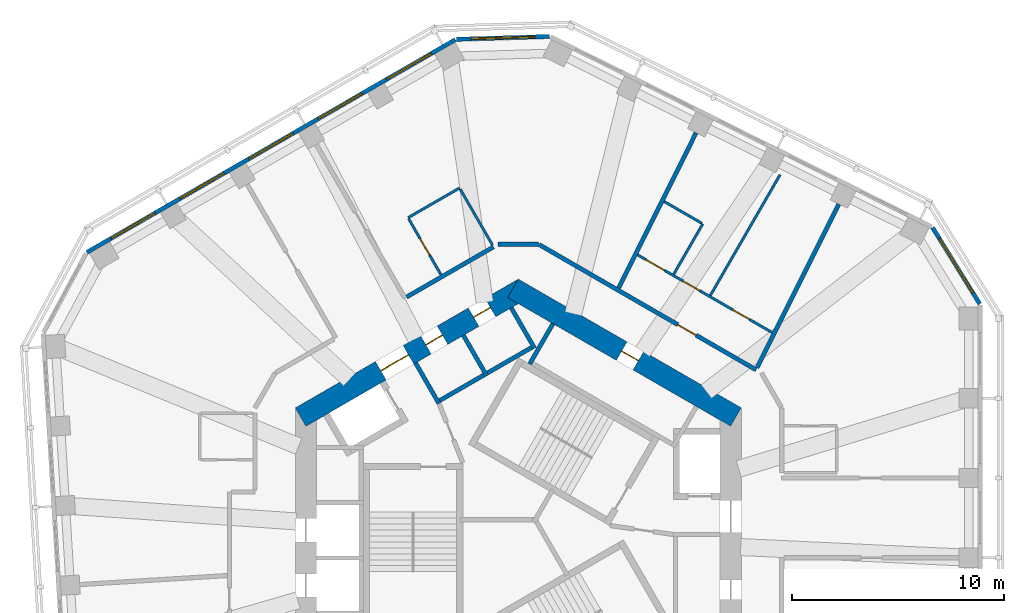
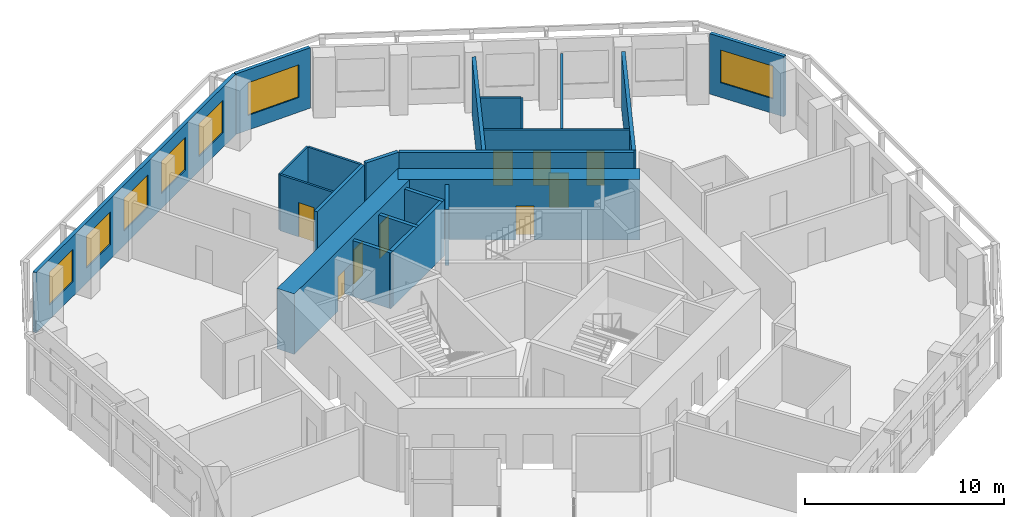
# One storey, part 7 of 11: 22 walls, 9 doors, 7 windows, 16 openings.
"""IFC4 building model written with IfcOpenShell, lengths in metres."""

from ifc_helpers import new_model, si_unit, direction, frame, frame_2d, origin, place, context, subcontext, project, spatial, rectangle, extrude, material, layer, layer_set, type_object, element, fill, save


model = new_model("IFC4")

# Units and contexts
model_context = context("Model", 3, precision=1e-05, world=origin(), true_north=direction((0.0, 1.0)))
body_context = subcontext(model_context, "Body", "Model", "MODEL_VIEW")
ifc_project = project(units=[si_unit("LENGTHUNIT", "METRE"), si_unit("AREAUNIT", "SQUARE_METRE"), si_unit("VOLUMEUNIT", "CUBIC_METRE"), si_unit("PLANEANGLEUNIT", "RADIAN"), si_unit("MASSUNIT", "GRAM", prefix="KILO")], contexts=[model_context])

# Site, building, storey
site_placement = place(None, origin())
site = spatial("IfcSite", under=ifc_project, at=site_placement, CompositionType="ELEMENT")
building_placement = place(site_placement, origin())
building = spatial("IfcBuilding", under=site, at=building_placement, Name="Vanh Sen Convention Tower", CompositionType="ELEMENT")
storey_placement = place(building_placement, frame((0.0, 0.0, 183.60009765625)))
storey = spatial("IfcBuildingStorey", under=building, at=storey_placement, Name="L45", CompositionType="ELEMENT", Elevation=183.60009765625)

# Wall
ifc_material_1 = material(Name="Moisture-resistant gypsum board on steel studs", Category="steel")
ifc_layer_1 = layer(ifc_material_1, 0.1201171875)
ifc_layer_set_1 = layer_set([ifc_layer_1], Name="Moisture-resistant gypsum board on steel studs")
wall_type_1 = type_object("IfcWallType", Name="Bathroom partition 120", PredefinedType="PARTITIONING", material=ifc_layer_set_1)
wall_1_placement = place(storey_placement, frame((-5.19140625, 15.01611328125, 0.0), z_axis=(0.0, 0.0, 1.0), x_axis=(0.866034573852, 0.49998411664, 0.0)))
element("IfcWall", 1, at=wall_1_placement, inside=storey, type_object=wall_type_1, Name="Bathroom partition 120", PredefinedType="PARTITIONING", context=body_context, shape_type="SweptSolid", body=[
    extrude(rectangle(XDim=2.7998046875, YDim=0.1201171875, at=frame_2d((1.39990234375, 0.0))), origin(), (0.0, 0.0, 1.0), 3.419921875),
])

# Wall, opening, door
wall_2_placement = place(storey_placement, frame((-3.641357421875, 12.331298828125, 0.0), z_axis=(0.0, 0.0, 1.0), x_axis=(-0.499991248344, 0.866030456496, 0.0)))
wall_2 = element("IfcWall", 2, at=wall_2_placement, inside=storey, type_object=wall_type_1, Name="Bathroom partition 120", PredefinedType="PARTITIONING", context=body_context, shape_type="SweptSolid", body=[
    extrude(rectangle(XDim=3.0400390625, YDim=0.1201171875, at=frame_2d((1.52001953125, 0.0))), origin(), (0.0, 0.0, 1.0), 3.419921875),
])
opening_1_placement = place(wall_2_placement, frame((1.070068359375, 0.0, 0.0)))
opening_1 = element("IfcOpeningElement", 3, at=opening_1_placement, cuts=wall_2, Name="Opening D44108", PredefinedType="OPENING", context=body_context, shape_type="SweptSolid", body=[
    extrude(rectangle(XDim=0.89990234375, YDim=2.10009765625, at=frame_2d((0.449951171875, 1.050048828125))), frame((0.0, 0.070068359375, 0.0), z_axis=(0.0, -1.0, 0.0), x_axis=(1.0, 0.0, 0.0)), (0.0, 0.0, 1.0), 0.14013671875),
])
ifc_material_2 = material(Name="Laminate door in steel frame", Category="steel")
door_type_1 = type_object("IfcDoorType", Name="Room internal door 900", OperationType="SINGLE_SWING_LEFT", PredefinedType="DOOR", material=ifc_material_2)
door_1_placement = place(opening_1_placement, origin())
door_1 = element("IfcDoor", 4, at=door_1_placement, inside=storey, type_object=door_type_1, Name="Internal room door D44108", OperationType="SINGLE_SWING_LEFT", OverallHeight=2.10009765625, OverallWidth=0.89990234375, PredefinedType="DOOR", context=body_context, shape_type="SweptSolid", body=[
    extrude(rectangle(XDim=0.89990234375, YDim=2.10009765625, at=frame_2d((0.449951171875, 1.050048828125))), frame((0.0, 0.02490234375, 0.0), z_axis=(0.0, -1.0, 0.0), x_axis=(1.0, 0.0, 0.0)), (0.0, 0.0, 1.0), 0.050048828125),
])
fill(opening_1, door_1)

# Walls
wall_3_placement = place(storey_placement, frame((-2.736572265625, 16.364013671875, 0.0), z_axis=(0.0, 0.0, 1.0), x_axis=(0.500026023896, -0.86601037836, 0.0)))
element("IfcWall", 5, at=wall_3_placement, inside=storey, type_object=wall_type_1, Name="Bathroom partition 120", PredefinedType="PARTITIONING", context=body_context, shape_type="SweptSolid", body=[
    extrude(rectangle(XDim=3.039794921875, YDim=0.1201171875, at=frame_2d((1.52001953125, 0.0))), origin(), (0.0, 0.0, 1.0), 3.419921875),
])
wall_4_placement = place(storey_placement, frame((7.318115234375, 12.3564453125, 0.0), z_axis=(0.0, 0.0, 1.0), x_axis=(0.499982138324, 0.866035715982, 0.0)))
element("IfcWall", 6, at=wall_4_placement, inside=storey, type_object=wall_type_1, Name="Bathroom partition 120", PredefinedType="PARTITIONING", context=body_context, shape_type="SweptSolid", body=[
    extrude(rectangle(XDim=2.73974609375, YDim=0.1201171875, at=frame_2d((1.369873046875, 0.0))), origin(), (0.0, 0.0, 1.0), 3.419921875),
])
wall_5_placement = place(storey_placement, frame((8.635986328125, 14.75927734375, 0.0), z_axis=(0.0, 0.0, 1.0), x_axis=(-0.866010195725, 0.500026340207, 0.0)))
element("IfcWall", 7, at=wall_5_placement, inside=storey, type_object=wall_type_1, Name="Bathroom partition 120", PredefinedType="PARTITIONING", context=body_context, shape_type="SweptSolid", body=[
    extrude(rectangle(XDim=2.0400390625, YDim=0.1201171875, at=frame_2d((1.02001953125, 0.0))), origin(), (0.0, 0.0, 1.0), 3.419921875),
])

# Wall, openings, doors
wall_6_placement = place(storey_placement, frame((11.958984375, 9.607666015625, 0.0), z_axis=(0.0, 0.0, 1.0), x_axis=(-0.866018452427, 0.500012039911, 0.0)))
wall_6 = element("IfcWall", 8, at=wall_6_placement, inside=storey, type_object=wall_type_1, Name="Bathroom partition 120", PredefinedType="PARTITIONING", context=body_context, shape_type="SweptSolid", body=[
    extrude(rectangle(XDim=7.322021484375, YDim=0.1201171875, at=frame_2d((3.6611328125, 0.0))), origin(), (0.0, 0.0, 1.0), 3.419921875),
])
opening_2_placement = place(wall_6_placement, frame((5.85791015625, 0.0, 0.0)))
opening_2 = element("IfcOpeningElement", 9, at=opening_2_placement, cuts=wall_6, Name="Opening D44104", PredefinedType="OPENING", context=body_context, shape_type="SweptSolid", body=[
    extrude(rectangle(XDim=1.0, YDim=2.10009765625, at=frame_2d((0.5, 1.050048828125))), frame((0.0, 0.070068359375, 0.0), z_axis=(0.0, -1.0, 0.0), x_axis=(1.0, 0.0, 0.0)), (0.0, 0.0, 1.0), 0.14013671875),
])
opening_3_placement = place(wall_6_placement, frame((1.25, 0.0, 0.0)))
opening_3 = element("IfcOpeningElement", 10, at=opening_3_placement, cuts=wall_6, Name="Opening D44105", PredefinedType="OPENING", context=body_context, shape_type="SweptSolid", body=[
    extrude(rectangle(XDim=0.89990234375, YDim=2.10009765625, at=frame_2d((0.449951171875, 1.050048828125))), frame((0.0, 0.070068359375, 0.0), z_axis=(0.0, -1.0, 0.0), x_axis=(1.0, 0.0, 0.0)), (0.0, 0.0, 1.0), 0.14013671875),
])
opening_4_placement = place(wall_6_placement, frame((3.94677734375, 0.0, 0.0)))
opening_4 = element("IfcOpeningElement", 11, at=opening_4_placement, cuts=wall_6, Name="Opening D44106", PredefinedType="OPENING", context=body_context, shape_type="SweptSolid", body=[
    extrude(rectangle(XDim=0.89990234375, YDim=2.10009765625, at=frame_2d((0.449951171875, 1.050048828125))), frame((0.0, 0.070068359375, 0.0), z_axis=(0.0, -1.0, 0.0), x_axis=(1.0, 0.0, 0.0)), (0.0, 0.0, 1.0), 0.14013671875),
])
door_type_2 = type_object("IfcDoorType", Name="Accessible WC door 1000", OperationType="SINGLE_SWING_LEFT", PredefinedType="DOOR", material=ifc_material_2)
door_2_placement = place(opening_2_placement, origin())
door_2 = element("IfcDoor", 12, at=door_2_placement, inside=storey, type_object=door_type_2, Name="Accessible WC door D44104", OperationType="SINGLE_SWING_LEFT", OverallHeight=2.10009765625, OverallWidth=1.0, PredefinedType="DOOR", context=body_context, shape_type="SweptSolid", body=[
    extrude(rectangle(XDim=1.0, YDim=2.10009765625, at=frame_2d((0.5, 1.050048828125))), frame((0.0, 0.02490234375, 0.0), z_axis=(0.0, -1.0, 0.0), x_axis=(1.0, 0.0, 0.0)), (0.0, 0.0, 1.0), 0.050048828125),
])
fill(opening_2, door_2)
door_3_placement = place(opening_3_placement, origin())
door_3 = element("IfcDoor", 13, at=door_3_placement, inside=storey, type_object=door_type_1, Name="Internal room door D44105", OperationType="SINGLE_SWING_LEFT", OverallHeight=2.10009765625, OverallWidth=0.89990234375, PredefinedType="DOOR", context=body_context, shape_type="SweptSolid", body=[
    extrude(rectangle(XDim=0.89990234375, YDim=2.10009765625, at=frame_2d((0.449951171875, 1.050048828125))), frame((0.0, 0.02490234375, 0.0), z_axis=(0.0, -1.0, 0.0), x_axis=(1.0, 0.0, 0.0)), (0.0, 0.0, 1.0), 0.050048828125),
])
fill(opening_3, door_3)
door_4_placement = place(opening_4_placement, origin())
door_4 = element("IfcDoor", 14, at=door_4_placement, inside=storey, type_object=door_type_1, Name="Internal room door D44106", OperationType="SINGLE_SWING_LEFT", OverallHeight=2.10009765625, OverallWidth=0.89990234375, PredefinedType="DOOR", context=body_context, shape_type="SweptSolid", body=[
    extrude(rectangle(XDim=0.89990234375, YDim=2.10009765625, at=frame_2d((0.449951171875, 1.050048828125))), frame((0.0, 0.02490234375, 0.0), z_axis=(0.0, -1.0, 0.0), x_axis=(1.0, 0.0, 0.0)), (0.0, 0.0, 1.0), 0.050048828125),
])
fill(opening_4, door_4)

# Wall
wall_7_placement = place(storey_placement, frame((12.32470703125, 17.041015625, 0.0), z_axis=(0.0, 0.0, 1.0), x_axis=(-0.499985538654, -0.866033752885, 0.0)))
element("IfcWall", 15, at=wall_7_placement, inside=storey, type_object=wall_type_1, Name="Bathroom partition 120", PredefinedType="PARTITIONING", context=body_context, shape_type="SweptSolid", body=[
    extrude(rectangle(XDim=6.560302734375, YDim=0.1201171875, at=frame_2d((3.2802734375, 0.0))), origin(), (0.0, 0.0, 1.0), 3.419921875),
])

# Wall, opening, door
ifc_material_3 = material(Name="Concrete C80/95", Category="concrete")
ifc_layer_2 = layer(ifc_material_3, 1.0)
ifc_layer_set_2 = layer_set([ifc_layer_2], Name="Concrete C80/95")
wall_type_2 = type_object("IfcWallType", Name="Core outer wall 1000 C80/95", PredefinedType="SHEAR", material=ifc_layer_set_2)
wall_8_placement = place(storey_placement, frame((10.25, 5.629150390625, 0.0), z_axis=(0.0, 0.0, 1.0), x_axis=(-0.866022616891, 0.50000482701, 0.0)))
wall_8 = element("IfcWall", 16, at=wall_8_placement, inside=storey, type_object=wall_type_2, Name="Core wall face NE L45", PredefinedType="SHEAR", context=body_context, shape_type="SweptSolid", body=[
    extrude(rectangle(XDim=12.12451171875, YDim=1.0, at=frame_2d((6.062255859375, 0.0))), origin(), (0.0, 0.0, 1.0), 3.699951171875),
])
opening_5_placement = place(wall_8_placement, frame((5.312255859375, 0.0, 0.0)))
opening_5 = element("IfcOpeningElement", 17, at=opening_5_placement, cuts=wall_8, Name="Opening D44011", PredefinedType="OPENING", context=body_context, shape_type="SweptSolid", body=[
    extrude(rectangle(XDim=0.89990234375, YDim=2.10009765625, at=frame_2d((0.449951171875, 1.050048828125))), frame((0.0, 0.510009765625, 0.0), z_axis=(0.0, -1.0, 0.0), x_axis=(1.0, 0.0, 0.0)), (0.0, 0.0, 1.0), 1.02001953125),
])
ifc_material_4 = material(Name="Steel S355", Category="steel")
door_type_3 = type_object("IfcDoorType", Name="Plant door 900", OperationType="SINGLE_SWING_LEFT", PredefinedType="DOOR", material=ifc_material_4)
door_5_placement = place(opening_5_placement, origin())
door_5 = element("IfcDoor", 18, at=door_5_placement, inside=storey, type_object=door_type_3, Name="Plant door D44011", OperationType="SINGLE_SWING_LEFT", OverallHeight=2.10009765625, OverallWidth=0.89990234375, PredefinedType="DOOR", context=body_context, shape_type="SweptSolid", body=[
    extrude(rectangle(XDim=0.89990234375, YDim=2.10009765625, at=frame_2d((0.449951171875, 1.050048828125))), frame((0.0, 0.02490234375, 0.0), z_axis=(0.0, -1.0, 0.0), x_axis=(1.0, 0.0, 0.0)), (0.0, 0.0, 1.0), 0.050048828125),
])
fill(opening_5, door_5)

# Wall, openings, doors
wall_9_placement = place(storey_placement, frame((0.25, 11.69140625, 0.0), z_axis=(0.0, 0.0, 1.0), x_axis=(-0.866022616891, -0.50000482701, 0.0)))
wall_9 = element("IfcWall", 19, at=wall_9_placement, inside=storey, type_object=wall_type_2, Name="Core wall face NW L45", PredefinedType="SHEAR", context=body_context, shape_type="SweptSolid", body=[
    extrude(rectangle(XDim=12.12451171875, YDim=1.0, at=frame_2d((6.062255859375, 0.0))), origin(), (0.0, 0.0, 1.0), 3.699951171875),
])
opening_6_placement = place(wall_9_placement, frame((6.26220703125, 0.0, 0.0)))
opening_6 = element("IfcOpeningElement", 20, at=opening_6_placement, cuts=wall_9, Name="Opening D44002", PredefinedType="OPENING", context=body_context, shape_type="SweptSolid", body=[
    extrude(rectangle(XDim=1.5, YDim=2.10009765625, at=frame_2d((0.75, 1.050048828125))), frame((0.0, 0.510009765625, 0.0), z_axis=(0.0, -1.0, 0.0), x_axis=(1.0, 0.0, 0.0)), (0.0, 0.0, 1.0), 1.02001953125),
])
opening_7_placement = place(wall_9_placement, frame((1.812255859375, 0.0, 0.0)))
opening_7 = element("IfcOpeningElement", 21, at=opening_7_placement, cuts=wall_9, Name="Opening D44012", PredefinedType="OPENING", context=body_context, shape_type="SweptSolid", body=[
    extrude(rectangle(XDim=0.89990234375, YDim=2.10009765625, at=frame_2d((0.449951171875, 1.050048828125))), frame((0.0, 0.510009765625, 0.0), z_axis=(0.0, -1.0, 0.0), x_axis=(1.0, 0.0, 0.0)), (0.0, 0.0, 1.0), 1.02001953125),
])
opening_8_placement = place(wall_9_placement, frame((4.412109375, 0.0, 0.0)))
opening_8 = element("IfcOpeningElement", 22, at=opening_8_placement, cuts=wall_9, Name="Opening D44013", PredefinedType="OPENING", context=body_context, shape_type="SweptSolid", body=[
    extrude(rectangle(XDim=0.89990234375, YDim=2.10009765625, at=frame_2d((0.449951171875, 1.050048828125))), frame((0.0, 0.510009765625, 0.0), z_axis=(0.0, -1.0, 0.0), x_axis=(1.0, 0.0, 0.0)), (0.0, 0.0, 1.0), 1.02001953125),
])
door_6_placement = place(opening_7_placement, origin())
door_6 = element("IfcDoor", 23, at=door_6_placement, inside=storey, type_object=door_type_3, Name="Plant door D44012", OperationType="SINGLE_SWING_LEFT", OverallHeight=2.10009765625, OverallWidth=0.89990234375, PredefinedType="DOOR", context=body_context, shape_type="SweptSolid", body=[
    extrude(rectangle(XDim=0.89990234375, YDim=2.10009765625, at=frame_2d((0.449951171875, 1.050048828125))), frame((0.0, 0.02490234375, 0.0), z_axis=(0.0, -1.0, 0.0), x_axis=(1.0, 0.0, 0.0)), (0.0, 0.0, 1.0), 0.050048828125),
])
fill(opening_7, door_6)
door_7_placement = place(opening_8_placement, origin())
door_7 = element("IfcDoor", 24, at=door_7_placement, inside=storey, type_object=door_type_3, Name="Plant door D44013", OperationType="SINGLE_SWING_LEFT", OverallHeight=2.10009765625, OverallWidth=0.89990234375, PredefinedType="DOOR", context=body_context, shape_type="SweptSolid", body=[
    extrude(rectangle(XDim=0.89990234375, YDim=2.10009765625, at=frame_2d((0.449951171875, 1.050048828125))), frame((0.0, 0.02490234375, 0.0), z_axis=(0.0, -1.0, 0.0), x_axis=(1.0, 0.0, 0.0)), (0.0, 0.0, 1.0), 0.050048828125),
])
fill(opening_8, door_7)
door_type_4 = type_object("IfcDoorType", Name="Stair lobby door 1500", OperationType="DOUBLE_DOOR_SINGLE_SWING", PredefinedType="DOOR", material=ifc_material_4)
door_8_placement = place(opening_6_placement, origin())
door_8 = element("IfcDoor", 25, at=door_8_placement, inside=storey, type_object=door_type_4, Name="Stair lobby door D44002", OperationType="DOUBLE_DOOR_SINGLE_SWING", OverallHeight=2.10009765625, OverallWidth=1.5, PredefinedType="DOOR", context=body_context, shape_type="SweptSolid", body=[
    extrude(rectangle(XDim=1.5, YDim=2.10009765625, at=frame_2d((0.75, 1.050048828125))), frame((0.0, 0.02490234375, 0.0), z_axis=(0.0, -1.0, 0.0), x_axis=(1.0, 0.0, 0.0)), (0.0, 0.0, 1.0), 0.050048828125),
])
fill(opening_6, door_8)

# Walls
ifc_material_5 = material(Name="Gypsum board on steel studs with mineral wool", Category="steel")
ifc_layer_3 = layer(ifc_material_5, 0.199951171875)
ifc_layer_set_3 = layer_set([ifc_layer_3], Name="Gypsum board on steel studs with mineral wool")
wall_type_3 = type_object("IfcWallType", Name="Corridor partition wall 200", PredefinedType="PARTITIONING", material=ifc_layer_set_3)
wall_10_placement = place(storey_placement, frame((-1.16650390625, 13.644775390625, 0.0), z_axis=(0.0, 0.0, 1.0), x_axis=(-0.866034830959, -0.499983671299, 0.0)))
element("IfcWall", 26, at=wall_10_placement, inside=storey, type_object=wall_type_3, Name="Corridor partition wall 200", PredefinedType="PARTITIONING", context=body_context, shape_type="SweptSolid", body=[
    extrude(rectangle(XDim=4.719482421875, YDim=0.199951171875, at=frame_2d((2.35986328125, 0.0))), origin(), (0.0, 0.0, 1.0), 3.419921875),
])
wall_11_placement = place(storey_placement, frame((0.949951171875, 13.769775390625, 0.0), z_axis=(0.0, 0.0, 1.0), x_axis=(-1.0, 0.0, 0.0)))
element("IfcWall", 27, at=wall_11_placement, inside=storey, type_object=wall_type_3, Name="Corridor partition wall 200", PredefinedType="PARTITIONING", context=body_context, shape_type="SweptSolid", body=[
    extrude(rectangle(XDim=1.89990234375, YDim=0.199951171875, at=frame_2d((0.949951171875, 0.0))), origin(), (0.0, 0.0, 1.0), 3.419921875),
])

# Wall, opening, door
wall_12_placement = place(storey_placement, frame((11.1962890625, 7.85400390625, 0.0), z_axis=(0.0, 0.0, 1.0), x_axis=(-0.866023877043, 0.500002644385, 0.0)))
wall_12 = element("IfcWall", 28, at=wall_12_placement, inside=storey, type_object=wall_type_3, Name="Corridor partition wall 200", PredefinedType="PARTITIONING", context=body_context, shape_type="SweptSolid", body=[
    extrude(rectangle(XDim=11.79150390625, YDim=0.199951171875, at=frame_2d((5.895751953125, 0.0))), origin(), (0.0, 0.0, 1.0), 3.419921875),
])
opening_9_placement = place(wall_12_placement, frame((3.26123046875, 0.0, 0.0)))
opening_9 = element("IfcOpeningElement", 29, at=opening_9_placement, cuts=wall_12, Name="Opening D44103", PredefinedType="OPENING", context=body_context, shape_type="SweptSolid", body=[
    extrude(rectangle(XDim=1.0, YDim=2.10009765625, at=frame_2d((0.5, 1.050048828125))), frame((0.0, 0.10986328125, 0.0), z_axis=(0.0, -1.0, 0.0), x_axis=(1.0, 0.0, 0.0)), (0.0, 0.0, 1.0), 0.219970703125),
])
ifc_material_6 = material(Name="Timber fire door in steel frame", Category="steel")
door_type_5 = type_object("IfcDoorType", Name="Floor room door 1000", OperationType="SINGLE_SWING_LEFT", PredefinedType="DOOR", material=ifc_material_6)
door_9_placement = place(opening_9_placement, origin())
door_9 = element("IfcDoor", 30, at=door_9_placement, inside=storey, type_object=door_type_5, Name="Meeting and amenity room door D44103", OperationType="SINGLE_SWING_LEFT", OverallHeight=2.10009765625, OverallWidth=1.0, PredefinedType="DOOR", context=body_context, shape_type="SweptSolid", body=[
    extrude(rectangle(XDim=1.0, YDim=2.10009765625, at=frame_2d((0.5, 1.050048828125))), frame((0.0, 0.02490234375, 0.0), z_axis=(0.0, -1.0, 0.0), x_axis=(1.0, 0.0, 0.0)), (0.0, 0.0, 1.0), 0.050048828125),
])
fill(opening_9, door_9)

# Wall, opening, window
ifc_material_7 = material(Name="Insulated lightweight infill wall")
ifc_layer_4 = layer(ifc_material_7, 0.199951171875)
ifc_layer_set_4 = layer_set([ifc_layer_4], Name="Insulated lightweight infill wall")
wall_type_4 = type_object("IfcWallType", Name="External wall 200", PredefinedType="STANDARD", material=ifc_layer_set_4)
wall_13_placement = place(storey_placement, frame((21.735107421875, 10.9580078125, 0.0), z_axis=(0.0, 0.0, 1.0), x_axis=(-0.526213807775, 0.850352296702, 0.0)))
wall_13 = element("IfcWall", 31, at=wall_13_placement, inside=storey, type_object=wall_type_4, Name="External wall CH1 L45", PredefinedType="STANDARD", context=body_context, shape_type="SweptSolid", body=[
    extrude(rectangle(XDim=4.23828125, YDim=0.199951171875, at=frame_2d((2.119140625, 0.0))), origin(), (0.0, 0.0, 1.0), 3.699951171875),
])
opening_10_placement = place(wall_13_placement, frame((0.619140625, 0.0, 0.89990234375)))
opening_10 = element("IfcOpeningElement", 32, at=opening_10_placement, cuts=wall_13, Name="Opening WO2-CH11", PredefinedType="OPENING", context=body_context, shape_type="SweptSolid", body=[
    extrude(rectangle(XDim=3.0, YDim=2.0, at=frame_2d((1.5, 1.0))), frame((0.0, 0.10986328125, 0.0), z_axis=(0.0, -1.0, 0.0), x_axis=(1.0, 0.0, 0.0)), (0.0, 0.0, 1.0), 0.219970703125),
])
ifc_material_8 = material(Name="Aluminium frame with clear low-emissivity glass", Category="aluminium")
window_type_1 = type_object("IfcWindowType", Name="Office window 3000 x 2000", PartitioningType="SINGLE_PANEL", PredefinedType="WINDOW", material=ifc_material_8)
window_1_placement = place(opening_10_placement, origin())
window_1 = element("IfcWindow", 33, at=window_1_placement, inside=storey, type_object=window_type_1, Name="Window WO2-CH11", OverallHeight=2.0, OverallWidth=3.0, PartitioningType="SINGLE_PANEL", PredefinedType="WINDOW", context=body_context, shape_type="SweptSolid", body=[
    extrude(rectangle(XDim=3.0, YDim=2.0, at=frame_2d((1.5, 1.0))), frame((0.0, 0.030029296875, 0.0), z_axis=(0.0, -1.0, 0.0), x_axis=(1.0, 0.0, 0.0)), (0.0, 0.0, 1.0), 0.06005859375),
])
fill(opening_10, window_1)

wall_14_placement = place(storey_placement, frame((1.478759765625, 23.552734375, 0.0), z_axis=(0.0, 0.0, 1.0), x_axis=(-0.999534786117, -0.03049936625, 0.0)))
wall_14 = element("IfcWall", 34, at=wall_14_placement, inside=storey, type_object=wall_type_4, Name="External wall CH2 L45", PredefinedType="STANDARD", context=body_context, shape_type="SweptSolid", body=[
    extrude(rectangle(XDim=4.39453125, YDim=0.199951171875, at=frame_2d((2.197265625, 0.0))), origin(), (0.0, 0.0, 1.0), 3.699951171875),
])
opening_11_placement = place(wall_14_placement, frame((0.697509765625, 0.0, 0.89990234375)))
opening_11 = element("IfcOpeningElement", 35, at=opening_11_placement, cuts=wall_14, Name="Opening WO2-CH21", PredefinedType="OPENING", context=body_context, shape_type="SweptSolid", body=[
    extrude(rectangle(XDim=3.0, YDim=2.0, at=frame_2d((1.5, 1.0))), frame((0.0, 0.10986328125, 0.0), z_axis=(0.0, -1.0, 0.0), x_axis=(1.0, 0.0, 0.0)), (0.0, 0.0, 1.0), 0.219970703125),
])
window_2_placement = place(opening_11_placement, origin())
window_2 = element("IfcWindow", 36, at=window_2_placement, inside=storey, type_object=window_type_1, Name="Window WO2-CH21", OverallHeight=2.0, OverallWidth=3.0, PartitioningType="SINGLE_PANEL", PredefinedType="WINDOW", context=body_context, shape_type="SweptSolid", body=[
    extrude(rectangle(XDim=3.0, YDim=2.0, at=frame_2d((1.5, 1.0))), frame((0.0, 0.030029296875, 0.0), z_axis=(0.0, -1.0, 0.0), x_axis=(1.0, 0.0, 0.0)), (0.0, 0.0, 1.0), 0.06005859375),
])
fill(opening_11, window_2)

# Wall, openings, windows
wall_15_placement = place(storey_placement, frame((-2.9609375, 23.4052734375, 0.0), z_axis=(0.0, 0.0, 1.0), x_axis=(-0.866023315909, -0.500003616288, 0.0)))
wall_15 = element("IfcWall", 37, at=wall_15_placement, inside=storey, type_object=wall_type_4, Name="External wall NW L45", PredefinedType="STANDARD", context=body_context, shape_type="SweptSolid", body=[
    extrude(rectangle(XDim=20.043701171875, YDim=0.199951171875, at=frame_2d((10.02197265625, 0.0))), origin(), (0.0, 0.0, 1.0), 3.699951171875),
])
opening_12_placement = place(wall_15_placement, frame((1.314453125, 0.0, 0.89990234375)))
opening_12 = element("IfcOpeningElement", 38, at=opening_12_placement, cuts=wall_15, Name="Opening WO1-NW1", PredefinedType="OPENING", context=body_context, shape_type="SweptSolid", body=[
    extrude(rectangle(XDim=2.39990234375, YDim=2.0, at=frame_2d((1.199951171875, 1.0))), frame((0.0, 0.10986328125, 0.0), z_axis=(0.0, -1.0, 0.0), x_axis=(1.0, 0.0, 0.0)), (0.0, 0.0, 1.0), 0.219970703125),
])
opening_13_placement = place(wall_15_placement, frame((5.068603515625, 0.0, 0.89990234375)))
opening_13 = element("IfcOpeningElement", 39, at=opening_13_placement, cuts=wall_15, Name="Opening WO1-NW2", PredefinedType="OPENING", context=body_context, shape_type="SweptSolid", body=[
    extrude(rectangle(XDim=2.39990234375, YDim=2.0, at=frame_2d((1.199951171875, 1.0))), frame((0.0, 0.10986328125, 0.0), z_axis=(0.0, -1.0, 0.0), x_axis=(1.0, 0.0, 0.0)), (0.0, 0.0, 1.0), 0.219970703125),
])
opening_14_placement = place(wall_15_placement, frame((8.82275390625, 0.0, 0.89990234375)))
opening_14 = element("IfcOpeningElement", 40, at=opening_14_placement, cuts=wall_15, Name="Opening WO1-NW3", PredefinedType="OPENING", context=body_context, shape_type="SweptSolid", body=[
    extrude(rectangle(XDim=2.39990234375, YDim=2.0, at=frame_2d((1.199951171875, 1.0))), frame((0.0, 0.10986328125, 0.0), z_axis=(0.0, -1.0, 0.0), x_axis=(1.0, 0.0, 0.0)), (0.0, 0.0, 1.0), 0.219970703125),
])
opening_15_placement = place(wall_15_placement, frame((12.576904296875, 0.0, 0.89990234375)))
opening_15 = element("IfcOpeningElement", 41, at=opening_15_placement, cuts=wall_15, Name="Opening WO1-NW4", PredefinedType="OPENING", context=body_context, shape_type="SweptSolid", body=[
    extrude(rectangle(XDim=2.39990234375, YDim=2.0, at=frame_2d((1.199951171875, 1.0))), frame((0.0, 0.10986328125, 0.0), z_axis=(0.0, -1.0, 0.0), x_axis=(1.0, 0.0, 0.0)), (0.0, 0.0, 1.0), 0.219970703125),
])
opening_16_placement = place(wall_15_placement, frame((16.330810546875, 0.0, 0.89990234375)))
opening_16 = element("IfcOpeningElement", 42, at=opening_16_placement, cuts=wall_15, Name="Opening WO1-NW5", PredefinedType="OPENING", context=body_context, shape_type="SweptSolid", body=[
    extrude(rectangle(XDim=2.39990234375, YDim=2.0, at=frame_2d((1.199951171875, 1.0))), frame((0.0, 0.10986328125, 0.0), z_axis=(0.0, -1.0, 0.0), x_axis=(1.0, 0.0, 0.0)), (0.0, 0.0, 1.0), 0.219970703125),
])
window_type_2 = type_object("IfcWindowType", Name="Office window 2400 x 2000", PartitioningType="SINGLE_PANEL", PredefinedType="WINDOW", material=ifc_material_8)
window_3_placement = place(opening_12_placement, origin())
window_3 = element("IfcWindow", 43, at=window_3_placement, inside=storey, type_object=window_type_2, Name="Window WO1-NW1", OverallHeight=2.0, OverallWidth=2.39990234375, PartitioningType="SINGLE_PANEL", PredefinedType="WINDOW", context=body_context, shape_type="SweptSolid", body=[
    extrude(rectangle(XDim=2.39990234375, YDim=2.0, at=frame_2d((1.199951171875, 1.0))), frame((0.0, 0.030029296875, 0.0), z_axis=(0.0, -1.0, 0.0), x_axis=(1.0, 0.0, 0.0)), (0.0, 0.0, 1.0), 0.06005859375),
])
fill(opening_12, window_3)
window_4_placement = place(opening_13_placement, origin())
window_4 = element("IfcWindow", 44, at=window_4_placement, inside=storey, type_object=window_type_2, Name="Window WO1-NW2", OverallHeight=2.0, OverallWidth=2.39990234375, PartitioningType="SINGLE_PANEL", PredefinedType="WINDOW", context=body_context, shape_type="SweptSolid", body=[
    extrude(rectangle(XDim=2.39990234375, YDim=2.0, at=frame_2d((1.199951171875, 1.0))), frame((0.0, 0.030029296875, 0.0), z_axis=(0.0, -1.0, 0.0), x_axis=(1.0, 0.0, 0.0)), (0.0, 0.0, 1.0), 0.06005859375),
])
fill(opening_13, window_4)
window_5_placement = place(opening_14_placement, origin())
window_5 = element("IfcWindow", 45, at=window_5_placement, inside=storey, type_object=window_type_2, Name="Window WO1-NW3", OverallHeight=2.0, OverallWidth=2.39990234375, PartitioningType="SINGLE_PANEL", PredefinedType="WINDOW", context=body_context, shape_type="SweptSolid", body=[
    extrude(rectangle(XDim=2.39990234375, YDim=2.0, at=frame_2d((1.199951171875, 1.0))), frame((0.0, 0.030029296875, 0.0), z_axis=(0.0, -1.0, 0.0), x_axis=(1.0, 0.0, 0.0)), (0.0, 0.0, 1.0), 0.06005859375),
])
fill(opening_14, window_5)
window_6_placement = place(opening_15_placement, origin())
window_6 = element("IfcWindow", 46, at=window_6_placement, inside=storey, type_object=window_type_2, Name="Window WO1-NW4", OverallHeight=2.0, OverallWidth=2.39990234375, PartitioningType="SINGLE_PANEL", PredefinedType="WINDOW", context=body_context, shape_type="SweptSolid", body=[
    extrude(rectangle(XDim=2.39990234375, YDim=2.0, at=frame_2d((1.199951171875, 1.0))), frame((0.0, 0.030029296875, 0.0), z_axis=(0.0, -1.0, 0.0), x_axis=(1.0, 0.0, 0.0)), (0.0, 0.0, 1.0), 0.06005859375),
])
fill(opening_15, window_6)
window_7_placement = place(opening_16_placement, origin())
window_7 = element("IfcWindow", 47, at=window_7_placement, inside=storey, type_object=window_type_2, Name="Window WO1-NW5", OverallHeight=2.0, OverallWidth=2.39990234375, PartitioningType="SINGLE_PANEL", PredefinedType="WINDOW", context=body_context, shape_type="SweptSolid", body=[
    extrude(rectangle(XDim=2.39990234375, YDim=2.0, at=frame_2d((1.199951171875, 1.0))), frame((0.0, 0.030029296875, 0.0), z_axis=(0.0, -1.0, 0.0), x_axis=(1.0, 0.0, 0.0)), (0.0, 0.0, 1.0), 0.06005859375),
])
fill(opening_16, window_7)

# Walls
ifc_material_9 = material(Name="Concrete C40/50", Category="concrete")
ifc_layer_5 = layer(ifc_material_9, 0.199951171875)
ifc_layer_set_5 = layer_set([ifc_layer_5], Name="Concrete C40/50")
wall_type_5 = type_object("IfcWallType", Name="Lift shaft wall 200", PredefinedType="PARTITIONING", material=ifc_layer_set_5)
wall_16_placement = place(storey_placement, frame((0.5322265625, 8.1220703125, 0.0), z_axis=(0.0, 0.0, 1.0), x_axis=(0.500077893725, 0.86598042715, 0.0)))
element("IfcWall", 48, at=wall_16_placement, inside=storey, type_object=wall_type_5, Name="Lift shaft wall L45", PredefinedType="PARTITIONING", context=body_context, shape_type="SweptSolid", body=[
    extrude(rectangle(XDim=2.199951171875, YDim=0.199951171875, at=frame_2d((1.10009765625, 0.0))), origin(), (0.0, 0.0, 1.0), 3.419921875),
])
wall_17_placement = place(storey_placement, frame((0.80322265625, 9.008544921875, 0.0), z_axis=(0.0, 0.0, 1.0), x_axis=(-0.866028230842, -0.499995103361, 0.0)))
element("IfcWall", 49, at=wall_17_placement, inside=storey, type_object=wall_type_5, Name="Lift shaft wall L45", PredefinedType="PARTITIONING", context=body_context, shape_type="SweptSolid", body=[
    extrude(rectangle(XDim=5.39990234375, YDim=0.199951171875, at=frame_2d((2.699951171875, 0.0))), origin(), (0.0, 0.0, 1.0), 3.419921875),
])
wall_18_placement = place(storey_placement, frame((0.7666015625, 8.8720703125, 0.0), z_axis=(0.0, 0.0, 1.0), x_axis=(-0.499994660107, 0.866028486751, 0.0)))
element("IfcWall", 50, at=wall_18_placement, inside=storey, type_object=wall_type_5, Name="Lift shaft wall L45", PredefinedType="PARTITIONING", context=body_context, shape_type="SweptSolid", body=[
    extrude(rectangle(XDim=2.19970703125, YDim=0.199951171875, at=frame_2d((1.099853515625, 0.0))), origin(), (0.0, 0.0, 1.0), 3.419921875),
])
for number, where, z_axis, x_axis, name in (
    (51, (-1.48486328125, 7.572021484375, 0.0), (0.0, 0.0, 1.0), (-0.50002983664, 0.866008176907, 0.0), "Lift shaft wall L45"),
    (52, (-3.736572265625, 6.27197265625, 0.0), (0.0, 0.0, 1.0), (-0.50002983664, 0.866008176907, 0.0), "Lift shaft wall L45"),
):
    element("IfcWall", number, at=place(storey_placement, frame(where, z_axis=z_axis, x_axis=x_axis)), inside=storey, type_object=wall_type_5, Name=name, PredefinedType="PARTITIONING", context=body_context, shape_type="SweptSolid", body=[
        extrude(rectangle(XDim=2.199951171875, YDim=0.199951171875, at=frame_2d((1.10009765625, 0.0))), origin(), (0.0, 0.0, 1.0), 3.419921875),
    ])
ifc_layer_6 = layer(ifc_material_5, 0.199951171875)
ifc_layer_set_6 = layer_set([ifc_layer_6], Name="Gypsum board on steel studs with mineral wool")
wall_type_6 = type_object("IfcWallType", Name="Tenant suite wall 200", PredefinedType="PARTITIONING", material=ifc_layer_set_6)
wall_19_placement = place(storey_placement, frame((8.3701171875, 19.012939453125, 0.0), z_axis=(0.0, 0.0, 1.0), x_axis=(-0.446183598632, -0.894941448538, 0.0)))
element("IfcWall", 53, at=wall_19_placement, inside=storey, type_object=wall_type_6, Name="Tenant suite wall 200", PredefinedType="PARTITIONING", context=body_context, shape_type="SweptSolid", body=[
    extrude(rectangle(XDim=8.15625, YDim=0.199951171875, at=frame_2d((4.078125, 0.0))), origin(), (0.0, 0.0, 1.0), 3.419921875),
])
wall_20_placement = place(storey_placement, frame((15.089599609375, 15.66259765625, 0.0), z_axis=(0.0, 0.0, 1.0), x_axis=(-0.446204491029, -0.894931032083, 0.0)))
element("IfcWall", 54, at=wall_20_placement, inside=storey, type_object=wall_type_6, Name="Tenant suite wall 200", PredefinedType="PARTITIONING", context=body_context, shape_type="SweptSolid", body=[
    extrude(rectangle(XDim=8.615478515625, YDim=0.199951171875, at=frame_2d((4.3076171875, 0.0))), origin(), (0.0, 0.0, 1.0), 3.419921875),
])

save(model, "model.ifc")
